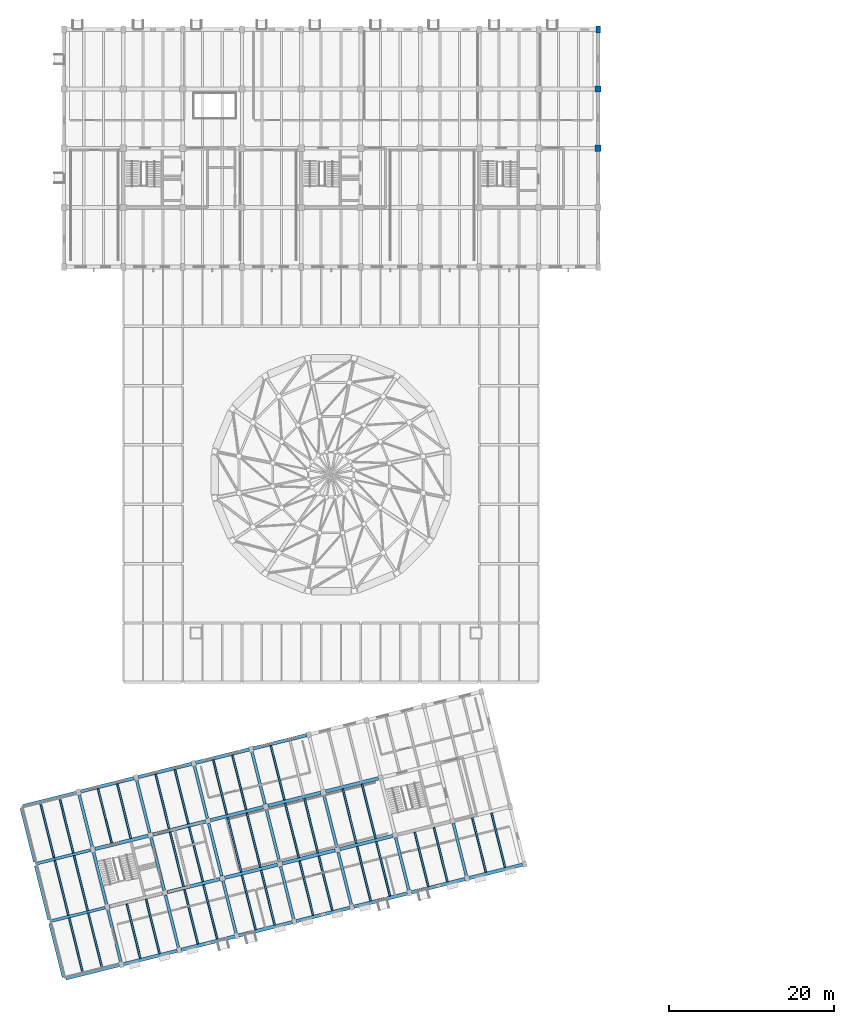
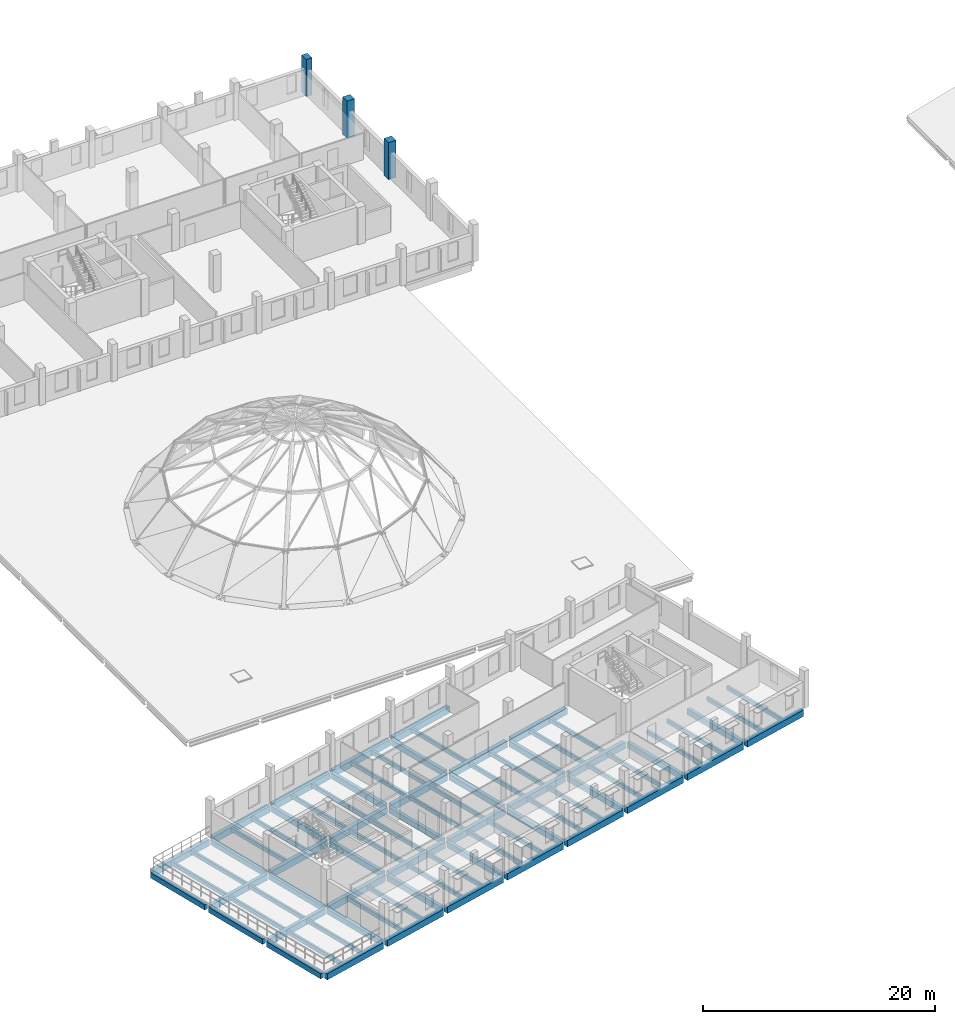
# One storey, part 5 of 32: 79 beams, 3 columns.
"""IFC4 building model written with IfcOpenShell, lengths in metres."""

from ifc_helpers import new_model, si_unit, direction, frame, origin, origin_2d, place, context, subcontext, project, spatial, rectangle, extrude, material, material_profile, profile_set, type_object, element, save


model = new_model("IFC4")

# Units and contexts
model_context = context("Model", 3, precision=1e-05, world=origin(), true_north=direction((0.0, 1.0)))
body_context = subcontext(model_context, "Body", "Model", "MODEL_VIEW")
ifc_project = project(units=[si_unit("LENGTHUNIT", "METRE"), si_unit("AREAUNIT", "SQUARE_METRE"), si_unit("VOLUMEUNIT", "CUBIC_METRE"), si_unit("PLANEANGLEUNIT", "RADIAN"), si_unit("MASSUNIT", "GRAM", prefix="KILO")], contexts=[model_context])

# Site, building, storey
site_placement = place(None, origin())
site = spatial("IfcSite", under=ifc_project, at=site_placement, CompositionType="ELEMENT")
building_placement = place(site_placement, origin())
building = spatial("IfcBuilding", under=site, at=building_placement, Name="Qiaolan Assembly House", CompositionType="ELEMENT")
storey_placement = place(building_placement, frame((0.0, 0.0, 18.60009765625)))
storey = spatial("IfcBuildingStorey", under=building, at=storey_placement, Name="L04", CompositionType="ELEMENT", Elevation=18.60009765625)

# Columns
ifc_material_1 = material(Name="Concrete C45/55", Category="concrete")
ifc_material_profile_1 = material_profile(ifc_material_1, rectangle(XDim=0.760009765625, YDim=0.760009765625, at=origin_2d()), Name="RC 760x760")
ifc_profile_set_1 = profile_set([ifc_material_profile_1], Name="Concrete C45/55")
column_type_1 = type_object("IfcColumnType", Name="COL-RC-760", PredefinedType="COLUMN", material=ifc_profile_set_1)
for number, where, z_axis, x_axis, name in (
    (1, (100.800048828125, 100.800048828125, 0.0), (0.0, 0.0, 1.0), (1.0, 0.0, 0.0), "RC-20 column NW L04"),
    (2, (100.800048828125, 108.0, 0.0), (0.0, 0.0, 1.0), (1.0, 0.0, 0.0), "RC-20 column NW L04"),
):
    element("IfcColumn", number, at=place(storey_placement, frame(where, z_axis=z_axis, x_axis=x_axis)), inside=storey, type_object=column_type_1, Name=name, PredefinedType="COLUMN", context=body_context, shape_type="SweptSolid", body=[
        extrude(rectangle(XDim=0.760009765625, YDim=0.760009765625, at=origin_2d()), origin(), (0.0, 0.0, 1.0), 3.89990234375),
    ])
ifc_material_2 = material(Name="Concrete C40/50", Category="concrete")
ifc_material_profile_2 = material_profile(ifc_material_2, rectangle(XDim=0.56005859375, YDim=0.804931640625, at=origin_2d()), Name="RC 805x560")
ifc_profile_set_2 = profile_set([ifc_material_profile_2], Name="Concrete C40/50")
column_type_2 = type_object("IfcColumnType", Name="COL-RC-805x560", PredefinedType="COLUMN", material=ifc_profile_set_2)
column_placement = place(storey_placement, frame((100.800048828125, 115.199951171875, 0.0), z_axis=(0.0, 0.0, 1.0), x_axis=(1.0, 0.0, 0.0)))
element("IfcColumn", 3, at=column_placement, inside=storey, type_object=column_type_2, Name="RC-23 column NW L04", PredefinedType="COLUMN", context=body_context, shape_type="SweptSolid", body=[
    extrude(rectangle(XDim=0.56005859375, YDim=0.804931640625, at=origin_2d()), origin(), (0.0, 0.0, 1.0), 3.89990234375),
])

# Beams
ifc_material_profile_3 = material_profile(ifc_material_2, rectangle(XDim=0.35009765625, YDim=0.550048828125, at=origin_2d()), Name="RCB 350x550")
ifc_profile_set_3 = profile_set([ifc_material_profile_3], Name="Concrete C40/50")
beam_type_1 = type_object("IfcBeamType", Name="BM-RC-350x550", PredefinedType="BEAM", material=ifc_profile_set_3)
beam_1_placement = place(storey_placement, frame((35.94189453125, 0.23291015625, -0.53515625), z_axis=(-0.241928634891, 0.970294045957, 0.0), x_axis=(-0.970294045957, -0.241928634891, 0.0)))
element("IfcBeam", 4, at=beam_1_placement, inside=storey, type_object=beam_type_1, Name="GB-09 beam BMV-SET4-L04-00-00", PredefinedType="BEAM", context=body_context, shape_type="SweptSolid", body=[
    extrude(rectangle(XDim=0.35009765625, YDim=0.550048828125, at=origin_2d()), origin(), (0.0, 0.0, 1.0), 6.719970703125),
])
for number, where, z_axis, x_axis, name in (
    (5, (34.2001953125, 7.218994140625, -0.53515625), (-0.241920106756, 0.970296172283, 0.0), (-0.970296172283, -0.241920106756, 0.0), "GB-09 beam BMV-SET4-L04-00-01"),
    (6, (32.458251953125, 14.205078125, -0.53515625), (-0.241920106756, 0.970296172283, 0.0), (-0.970296172283, -0.241920106756, 0.0), "GB-09 beam BMV-SET4-L04-00-02"),
):
    element("IfcBeam", number, at=place(storey_placement, frame(where, z_axis=z_axis, x_axis=x_axis)), inside=storey, type_object=beam_type_1, Name=name, PredefinedType="BEAM", context=body_context, shape_type="SweptSolid", body=[
        extrude(rectangle(XDim=0.35009765625, YDim=0.550048828125, at=origin_2d()), origin(), (0.0, 0.0, 1.0), 6.72021484375),
    ])
beam_2_placement = place(storey_placement, frame((42.927978515625, 1.974609375, -0.53515625), z_axis=(-0.241919183305, 0.970296402523, 0.0), x_axis=(-0.970296402523, -0.241919183305, 0.0)))
element("IfcBeam", 7, at=beam_2_placement, inside=storey, type_object=beam_type_1, Name="GB-09 beam BMV-SET4-L04-01-00", PredefinedType="BEAM", context=body_context, shape_type="SweptSolid", body=[
    extrude(rectangle(XDim=0.35009765625, YDim=0.550048828125, at=origin_2d()), origin(), (0.0, 0.0, 1.0), 6.7099609375),
])
beam_3_placement = place(storey_placement, frame((41.183837890625, 8.970458984375, -0.53515625), z_axis=(-0.241918257079, 0.970296633454, 0.0), x_axis=(-0.970296633454, -0.241918257079, 0.0)))
element("IfcBeam", 8, at=beam_3_placement, inside=storey, type_object=beam_type_1, Name="GB-09 beam BMV-SET4-L04-01-01", PredefinedType="BEAM", context=body_context, shape_type="SweptSolid", body=[
    extrude(rectangle(XDim=0.35009765625, YDim=0.550048828125, at=origin_2d()), origin(), (0.0, 0.0, 1.0), 6.699951171875),
])
beam_4_placement = place(storey_placement, frame((39.44189453125, 15.956787109375, -0.53515625), z_axis=(-0.241927724203, 0.970294273023, 0.0), x_axis=(-0.970294273023, -0.241927724203, 0.0)))
element("IfcBeam", 9, at=beam_4_placement, inside=storey, type_object=beam_type_1, Name="GB-09 beam BMV-SET4-L04-01-02", PredefinedType="BEAM", context=body_context, shape_type="SweptSolid", body=[
    extrude(rectangle(XDim=0.35009765625, YDim=0.550048828125, at=origin_2d()), origin(), (0.0, 0.0, 1.0), 6.709716796875),
])
ifc_material_profile_4 = material_profile(ifc_material_2, rectangle(XDim=0.35009765625, YDim=0.60009765625, at=origin_2d()), Name="RCB 350x600")
ifc_profile_set_4 = profile_set([ifc_material_profile_4], Name="Concrete C40/50")
beam_type_2 = type_object("IfcBeamType", Name="BM-RC-350x600", PredefinedType="BEAM", material=ifc_profile_set_4)
beam_5_placement = place(storey_placement, frame((49.914306640625, 3.716552734375, -0.51513671875), z_axis=(-0.241941330118, 0.9702908805, 0.0), x_axis=(-0.9702908805, -0.241941330118, 0.0)))
element("IfcBeam", 10, at=beam_5_placement, inside=storey, type_object=beam_type_2, Name="GB-08 beam BMV-SE-L04-01-00", PredefinedType="BEAM", context=body_context, shape_type="SweptSolid", body=[
    extrude(rectangle(XDim=0.35009765625, YDim=0.60009765625, at=origin_2d()), origin(), (0.0, 0.0, 1.0), 6.670166015625),
])
beam_6_placement = place(storey_placement, frame((48.16015625, 10.751220703125, -0.51513671875), z_axis=(-0.241893432628, 0.970302822448, 0.0), x_axis=(-0.970302822448, -0.241893432628, 0.0)))
element("IfcBeam", 11, at=beam_6_placement, inside=storey, type_object=beam_type_2, Name="GB-08 beam BMV-SE-L04-01-01", PredefinedType="BEAM", context=body_context, shape_type="SweptSolid", body=[
    extrude(rectangle(XDim=0.35009765625, YDim=0.60009765625, at=origin_2d()), origin(), (0.0, 0.0, 1.0), 6.619873046875),
])
beam_7_placement = place(storey_placement, frame((46.41845703125, 17.7373046875, -0.51513671875), z_axis=(-0.241941330118, 0.9702908805, 0.0), x_axis=(-0.9702908805, -0.241941330118, 0.0)))
element("IfcBeam", 12, at=beam_7_placement, inside=storey, type_object=beam_type_2, Name="GB-08 beam BMV-SE-L04-01-02", PredefinedType="BEAM", context=body_context, shape_type="SweptSolid", body=[
    extrude(rectangle(XDim=0.35009765625, YDim=0.60009765625, at=origin_2d()), origin(), (0.0, 0.0, 1.0), 6.670166015625),
])
beam_8_placement = place(storey_placement, frame((56.900390625, 5.45849609375, -0.51513671875), z_axis=(-0.241949922935, 0.970288737846, 0.0), x_axis=(-0.970288737846, -0.241949922935, 0.0)))
element("IfcBeam", 13, at=beam_8_placement, inside=storey, type_object=beam_type_2, Name="GB-08 beam BMV-SE-L04-02-00", PredefinedType="BEAM", context=body_context, shape_type="SweptSolid", body=[
    extrude(rectangle(XDim=0.35009765625, YDim=0.60009765625, at=origin_2d()), origin(), (0.0, 0.0, 1.0), 6.669921875),
])
beam_9_placement = place(storey_placement, frame((55.146484375, 12.492919921875, -0.51513671875), z_axis=(-0.241919497068, 0.970296324294, 0.0), x_axis=(-0.970296324294, -0.241919497068, 0.0)))
element("IfcBeam", 14, at=beam_9_placement, inside=storey, type_object=beam_type_2, Name="GB-08 beam BMV-SE-L04-02-01", PredefinedType="BEAM", context=body_context, shape_type="SweptSolid", body=[
    extrude(rectangle(XDim=0.35009765625, YDim=0.60009765625, at=origin_2d()), origin(), (0.0, 0.0, 1.0), 6.6201171875),
])
beam_10_placement = place(storey_placement, frame((53.404541015625, 19.479248046875, -0.51513671875), z_axis=(-0.241915461625, 0.970297330423, 0.0), x_axis=(-0.970297330423, -0.241915461625, 0.0)))
element("IfcBeam", 15, at=beam_10_placement, inside=storey, type_object=beam_type_2, Name="GB-08 beam BMV-SE-L04-02-02", PredefinedType="BEAM", context=body_context, shape_type="SweptSolid", body=[
    extrude(rectangle(XDim=0.35009765625, YDim=0.60009765625, at=origin_2d()), origin(), (0.0, 0.0, 1.0), 6.669677734375),
])
beam_11_placement = place(storey_placement, frame((63.886474609375, 7.2001953125, -0.51513671875), z_axis=(-0.24190686988, 0.970299472485, 0.0), x_axis=(-0.970299472485, -0.24190686988, 0.0)))
element("IfcBeam", 16, at=beam_11_placement, inside=storey, type_object=beam_type_2, Name="GB-08 beam BMV-SE-L04-03-00", PredefinedType="BEAM", context=body_context, shape_type="SweptSolid", body=[
    extrude(rectangle(XDim=0.35009765625, YDim=0.60009765625, at=origin_2d()), origin(), (0.0, 0.0, 1.0), 6.669921875),
])
beam_12_placement = place(storey_placement, frame((62.132568359375, 14.23486328125, -0.51513671875), z_axis=(-0.241928153868, 0.970294165893, 0.0), x_axis=(-0.970294165893, -0.241928153868, 0.0)))
element("IfcBeam", 17, at=beam_12_placement, inside=storey, type_object=beam_type_2, Name="GB-08 beam BMV-SE-L04-03-01", PredefinedType="BEAM", context=body_context, shape_type="SweptSolid", body=[
    extrude(rectangle(XDim=0.35009765625, YDim=0.60009765625, at=origin_2d()), origin(), (0.0, 0.0, 1.0), 6.619873046875),
])
beam_13_placement = place(storey_placement, frame((60.390625, 21.220947265625, -0.51513671875), z_axis=(-0.24190686988, 0.970299472485, 0.0), x_axis=(-0.970299472485, -0.24190686988, 0.0)))
element("IfcBeam", 18, at=beam_13_placement, inside=storey, type_object=beam_type_2, Name="GB-08 beam BMV-SE-L04-03-02", PredefinedType="BEAM", context=body_context, shape_type="SweptSolid", body=[
    extrude(rectangle(XDim=0.35009765625, YDim=0.60009765625, at=origin_2d()), origin(), (0.0, 0.0, 1.0), 6.669921875),
])
beam_14_placement = place(storey_placement, frame((70.87255859375, 8.942138671875, -0.51513671875), z_axis=(-0.241915461625, 0.970297330423, 0.0), x_axis=(-0.970297330423, -0.241915461625, 0.0)))
element("IfcBeam", 19, at=beam_14_placement, inside=storey, type_object=beam_type_2, Name="GB-08 beam BMV-SE-L04-04-00", PredefinedType="BEAM", context=body_context, shape_type="SweptSolid", body=[
    extrude(rectangle(XDim=0.35009765625, YDim=0.60009765625, at=origin_2d()), origin(), (0.0, 0.0, 1.0), 6.669677734375),
])
beam_15_placement = place(storey_placement, frame((69.11865234375, 15.976806640625, -0.51513671875), z_axis=(-0.241928153868, 0.970294165893, 0.0), x_axis=(-0.970294165893, -0.241928153868, 0.0)))
element("IfcBeam", 20, at=beam_15_placement, inside=storey, type_object=beam_type_2, Name="GB-08 beam BMV-SE-L04-04-01", PredefinedType="BEAM", context=body_context, shape_type="SweptSolid", body=[
    extrude(rectangle(XDim=0.35009765625, YDim=0.60009765625, at=origin_2d()), origin(), (0.0, 0.0, 1.0), 6.619873046875),
])
for number, where, z_axis, x_axis, name in (
    (21, (77.858642578125, 10.683837890625, -0.51513671875), (-0.24190686988, 0.970299472485, 0.0), (-0.970299472485, -0.24190686988, 0.0), "GB-08 beam BMV-SE-L04-05-00"),
    (22, (84.8447265625, 12.42578125, -0.51513671875), (-0.24190686988, 0.970299472485, 0.0), (-0.970299472485, -0.24190686988, 0.0), "GB-08 beam BMV-SE-L04-06-00"),
):
    element("IfcBeam", number, at=place(storey_placement, frame(where, z_axis=z_axis, x_axis=x_axis)), inside=storey, type_object=beam_type_2, Name=name, PredefinedType="BEAM", context=body_context, shape_type="SweptSolid", body=[
        extrude(rectangle(XDim=0.35009765625, YDim=0.60009765625, at=origin_2d()), origin(), (0.0, 0.0, 1.0), 6.669921875),
    ])
ifc_material_profile_5 = material_profile(ifc_material_2, rectangle(XDim=0.35009765625, YDim=0.64990234375, at=origin_2d()), Name="RCB 350x650")
ifc_profile_set_5 = profile_set([ifc_material_profile_5], Name="Concrete C40/50")
beam_type_3 = type_object("IfcBeamType", Name="BM-RC-350x650", PredefinedType="BEAM", material=ifc_profile_set_5)
beam_16_placement = place(storey_placement, frame((36.23291015625, 0.05810546875, -0.585205078125), z_axis=(0.970294045957, 0.241928634891, 0.0), x_axis=(-0.241928634891, 0.970294045957, 0.0)))
element("IfcBeam", 23, at=beam_16_placement, inside=storey, type_object=beam_type_3, Name="GB-07 beam BMU-SET4-L04-00-00", PredefinedType="BEAM", context=body_context, shape_type="SweptSolid", body=[
    extrude(rectangle(XDim=0.35009765625, YDim=0.64990234375, at=origin_2d()), origin(), (0.0, 0.0, 1.0), 6.719970703125),
])
beam_17_placement = place(storey_placement, frame((34.490966796875, 7.044189453125, -0.585205078125), z_axis=(0.970296402523, 0.241919183305, 0.0), x_axis=(-0.241919183305, 0.970296402523, 0.0)))
element("IfcBeam", 24, at=beam_17_placement, inside=storey, type_object=beam_type_3, Name="GB-07 beam BMU-SET4-L04-00-01", PredefinedType="BEAM", context=body_context, shape_type="SweptSolid", body=[
    extrude(rectangle(XDim=0.35009765625, YDim=0.64990234375, at=origin_2d()), origin(), (0.0, 0.0, 1.0), 6.7099609375),
])
beam_18_placement = place(storey_placement, frame((32.749267578125, 14.0302734375, -0.585205078125), z_axis=(0.970294273023, 0.241927724203, 0.0), x_axis=(-0.241927724203, 0.970294273023, 0.0)))
element("IfcBeam", 25, at=beam_18_placement, inside=storey, type_object=beam_type_3, Name="GB-07 beam BMU-SET4-L04-00-02", PredefinedType="BEAM", context=body_context, shape_type="SweptSolid", body=[
    extrude(rectangle(XDim=0.35009765625, YDim=0.64990234375, at=origin_2d()), origin(), (0.0, 0.0, 1.0), 6.709716796875),
])
beam_19_placement = place(storey_placement, frame((31.00732421875, 21.016357421875, -0.585205078125), z_axis=(0.970296172283, 0.241920106756, 0.0), x_axis=(-0.241920106756, 0.970296172283, 0.0)))
element("IfcBeam", 26, at=beam_19_placement, inside=storey, type_object=beam_type_3, Name="GB-07 beam BMU-SET4-L04-00-03", PredefinedType="BEAM", context=body_context, shape_type="SweptSolid", body=[
    extrude(rectangle(XDim=0.35009765625, YDim=0.64990234375, at=origin_2d()), origin(), (0.0, 0.0, 1.0), 6.72021484375),
])
ifc_material_profile_6 = material_profile(ifc_material_2, rectangle(XDim=0.419921875, YDim=0.679931640625, at=origin_2d()), Name="RCB 420x680")
ifc_profile_set_6 = profile_set([ifc_material_profile_6], Name="Concrete C40/50")
beam_type_4 = type_object("IfcBeamType", Name="BM-RC-420x680", PredefinedType="BEAM", material=ifc_profile_set_6)
for number, where, z_axis, x_axis, name in (
    (27, (43.218994140625, 1.7998046875, -0.55517578125), (0.970296172283, 0.241920106756, 0.0), (-0.241920106756, 0.970296172283, 0.0), "GB-12 beam BMU-SE-L04-00-00"),
    (28, (50.205078125, 3.541748046875, -0.55517578125), (0.970296172283, 0.241920106756, 0.0), (-0.241920106756, 0.970296172283, 0.0), "GB-12 beam BMU-SE-L04-01-00"),
):
    element("IfcBeam", number, at=place(storey_placement, frame(where, z_axis=z_axis, x_axis=x_axis)), inside=storey, type_object=beam_type_4, Name=name, PredefinedType="BEAM", context=body_context, shape_type="SweptSolid", body=[
        extrude(rectangle(XDim=0.419921875, YDim=0.679931640625, at=origin_2d()), origin(), (0.0, 0.0, 1.0), 6.72021484375),
    ])
for number, where, z_axis, x_axis, name in (
    (29, (57.191162109375, 5.28369140625, -0.55517578125), (0.970304699599, 0.241885902723, 0.0), (-0.241885902723, 0.970304699599, 0.0), "GB-12 beam BMU-SE-L04-02-00"),
    (30, (64.177490234375, 7.025390625, -0.55517578125), (0.970294045957, 0.241928634891, 0.0), (-0.241928634891, 0.970294045957, 0.0), "GB-12 beam BMU-SE-L04-03-00"),
    (31, (71.16357421875, 8.767333984375, -0.55517578125), (0.970294045957, 0.241928634891, 0.0), (-0.241928634891, 0.970294045957, 0.0), "GB-12 beam BMU-SE-L04-04-00"),
    (32, (78.149658203125, 10.509033203125, -0.55517578125), (0.970294045957, 0.241928634891, 0.0), (-0.241928634891, 0.970294045957, 0.0), "GB-12 beam BMU-SE-L04-05-00"),
):
    element("IfcBeam", number, at=place(storey_placement, frame(where, z_axis=z_axis, x_axis=x_axis)), inside=storey, type_object=beam_type_4, Name=name, PredefinedType="BEAM", context=body_context, shape_type="SweptSolid", body=[
        extrude(rectangle(XDim=0.419921875, YDim=0.679931640625, at=origin_2d()), origin(), (0.0, 0.0, 1.0), 6.719970703125),
    ])
beam_20_placement = place(storey_placement, frame((85.1357421875, 12.2509765625, -0.55517578125), z_axis=(0.970296172283, 0.241920106756, 0.0), x_axis=(-0.241920106756, 0.970296172283, 0.0)))
element("IfcBeam", 33, at=beam_20_placement, inside=storey, type_object=beam_type_4, Name="GB-12 beam BMU-SE-L04-06-00", PredefinedType="BEAM", context=body_context, shape_type="SweptSolid", body=[
    extrude(rectangle(XDim=0.419921875, YDim=0.679931640625, at=origin_2d()), origin(), (0.0, 0.0, 1.0), 6.72021484375),
])
beam_21_placement = place(storey_placement, frame((41.48681640625, 8.788330078125, -0.55517578125), z_axis=(0.970291104491, 0.241940431812, 0.0), x_axis=(-0.241940431812, 0.970291104491, 0.0)))
element("IfcBeam", 34, at=beam_21_placement, inside=storey, type_object=beam_type_4, Name="GB-12 beam BMU-SE-L04-00-01", PredefinedType="BEAM", context=body_context, shape_type="SweptSolid", body=[
    extrude(rectangle(XDim=0.419921875, YDim=0.679931640625, at=origin_2d()), origin(), (0.0, 0.0, 1.0), 6.659912109375),
])
for number, where, z_axis, x_axis, name in (
    (35, (48.51171875, 10.5400390625, -0.55517578125), (0.970294165893, 0.241928153868, 0.0), (-0.241928153868, 0.970294165893, 0.0), "GB-12 beam BMU-SE-L04-01-01"),
    (36, (55.498046875, 12.28173828125, -0.55517578125), (0.970294165893, 0.241928153868, 0.0), (-0.241928153868, 0.970294165893, 0.0), "GB-12 beam BMU-SE-L04-02-01"),
    (37, (62.484130859375, 14.023681640625, -0.55517578125), (0.970294165893, 0.241928153868, 0.0), (-0.241928153868, 0.970294165893, 0.0), "GB-12 beam BMU-SE-L04-03-01"),
    (38, (69.47021484375, 15.765380859375, -0.55517578125), (0.970294165893, 0.241928153868, 0.0), (-0.241928153868, 0.970294165893, 0.0), "GB-12 beam BMU-SE-L04-04-01"),
):
    element("IfcBeam", number, at=place(storey_placement, frame(where, z_axis=z_axis, x_axis=x_axis)), inside=storey, type_object=beam_type_4, Name=name, PredefinedType="BEAM", context=body_context, shape_type="SweptSolid", body=[
        extrude(rectangle(XDim=0.419921875, YDim=0.679931640625, at=origin_2d()), origin(), (0.0, 0.0, 1.0), 6.619873046875),
    ])
beam_22_placement = place(storey_placement, frame((39.7451171875, 15.774658203125, -0.55517578125), z_axis=(0.970299709432, 0.241905919473, 0.0), x_axis=(-0.241905919473, 0.970299709432, 0.0)))
element("IfcBeam", 39, at=beam_22_placement, inside=storey, type_object=beam_type_4, Name="GB-12 beam BMU-SE-L04-00-02", PredefinedType="BEAM", context=body_context, shape_type="SweptSolid", body=[
    extrude(rectangle(XDim=0.419921875, YDim=0.679931640625, at=origin_2d()), origin(), (0.0, 0.0, 1.0), 6.659912109375),
])
for number, where, z_axis, x_axis, name in (
    (40, (46.77001953125, 17.526123046875, -0.55517578125), (0.970294165893, 0.241928153868, 0.0), (-0.241928153868, 0.970294165893, 0.0), "GB-12 beam BMU-SE-L04-01-02"),
    (41, (53.756103515625, 19.267822265625, -0.55517578125), (0.970294165893, 0.241928153868, 0.0), (-0.241928153868, 0.970294165893, 0.0), "GB-12 beam BMU-SE-L04-02-02"),
    (42, (60.7421875, 21.009765625, -0.55517578125), (0.970294165893, 0.241928153868, 0.0), (-0.241928153868, 0.970294165893, 0.0), "GB-12 beam BMU-SE-L04-03-02"),
    (43, (67.728271484375, 22.751708984375, -0.55517578125), (0.970302822448, 0.241893432628, 0.0), (-0.241893432628, 0.970302822448, 0.0), "GB-12 beam BMU-SE-L04-04-02"),
):
    element("IfcBeam", number, at=place(storey_placement, frame(where, z_axis=z_axis, x_axis=x_axis)), inside=storey, type_object=beam_type_4, Name=name, PredefinedType="BEAM", context=body_context, shape_type="SweptSolid", body=[
        extrude(rectangle(XDim=0.419921875, YDim=0.679931640625, at=origin_2d()), origin(), (0.0, 0.0, 1.0), 6.619873046875),
    ])
beam_23_placement = place(storey_placement, frame((37.993408203125, 22.75830078125, -0.55517578125), z_axis=(0.970296172283, 0.241920106756, 0.0), x_axis=(-0.241920106756, 0.970296172283, 0.0)))
element("IfcBeam", 44, at=beam_23_placement, inside=storey, type_object=beam_type_4, Name="GB-12 beam BMU-SE-L04-00-03", PredefinedType="BEAM", context=body_context, shape_type="SweptSolid", body=[
    extrude(rectangle(XDim=0.419921875, YDim=0.679931640625, at=origin_2d()), origin(), (0.0, 0.0, 1.0), 6.72021484375),
])
beam_24_placement = place(storey_placement, frame((44.979736328125, 24.500244140625, -0.55517578125), z_axis=(0.970302573856, 0.241894429802, 0.0), x_axis=(-0.241894429802, 0.970302573856, 0.0)))
element("IfcBeam", 45, at=beam_24_placement, inside=storey, type_object=beam_type_4, Name="GB-12 beam BMU-SE-L04-01-03", PredefinedType="BEAM", context=body_context, shape_type="SweptSolid", body=[
    extrude(rectangle(XDim=0.419921875, YDim=0.679931640625, at=origin_2d()), origin(), (0.0, 0.0, 1.0), 6.7197265625),
])
for number, where, z_axis, x_axis, name in (
    (46, (51.9658203125, 26.241943359375, -0.55517578125), (0.970294045957, 0.241928634891, 0.0), (-0.241928634891, 0.970294045957, 0.0), "GB-12 beam BMU-SE-L04-02-03"),
    (47, (58.951904296875, 27.98388671875, -0.55517578125), (0.970294045957, 0.241928634891, 0.0), (-0.241928634891, 0.970294045957, 0.0), "GB-12 beam BMU-SE-L04-03-03"),
):
    element("IfcBeam", number, at=place(storey_placement, frame(where, z_axis=z_axis, x_axis=x_axis)), inside=storey, type_object=beam_type_4, Name=name, PredefinedType="BEAM", context=body_context, shape_type="SweptSolid", body=[
        extrude(rectangle(XDim=0.419921875, YDim=0.679931640625, at=origin_2d()), origin(), (0.0, 0.0, 1.0), 6.719970703125),
    ])
ifc_material_profile_7 = material_profile(ifc_material_2, rectangle(XDim=0.219970703125, YDim=0.419921875, at=origin_2d()), Name="RCB 220x420")
ifc_profile_set_7 = profile_set([ifc_material_profile_7], Name="Concrete C40/50")
beam_type_5 = type_object("IfcBeamType", Name="JST-RC-220x420", PredefinedType="JOIST", material=ifc_profile_set_7)
for number, where, z_axis, x_axis, name in (
    (48, (38.287841796875, 0.74462890625, -0.47021484375), (-0.241932838974, 0.970292997721, 0.0), (-0.970292997721, -0.241932838974, 0.0), "RJ-03 beam JST-SET4-L04-00-00-1"),
    (49, (40.616455078125, 1.3251953125, -0.47021484375), (-0.241899342638, 0.970301349083, 0.0), (-0.970301349083, -0.241899342638, 0.0), "RJ-03 beam JST-SET4-L04-00-00-2"),
    (50, (36.5458984375, 7.730712890625, -0.47021484375), (-0.241899342638, 0.970301349083, 0.0), (-0.970301349083, -0.241899342638, 0.0), "RJ-03 beam JST-SET4-L04-00-01-1"),
    (51, (38.874755859375, 8.311279296875, -0.47021484375), (-0.241932838974, 0.970292997721, 0.0), (-0.970292997721, -0.241932838974, 0.0), "RJ-03 beam JST-SET4-L04-00-01-2"),
    (52, (34.80419921875, 14.716796875, -0.47021484375), (-0.241932838974, 0.970292997721, 0.0), (-0.970292997721, -0.241932838974, 0.0), "RJ-03 beam JST-SET4-L04-00-02-1"),
    (53, (37.1328125, 15.29736328125, -0.47021484375), (-0.241899342638, 0.970301349083, 0.0), (-0.970301349083, -0.241899342638, 0.0), "RJ-03 beam JST-SET4-L04-00-02-2"),
):
    element("IfcBeam", number, at=place(storey_placement, frame(where, z_axis=z_axis, x_axis=x_axis)), inside=storey, type_object=beam_type_5, Name=name, PredefinedType="JOIST", context=body_context, shape_type="SweptSolid", body=[
        extrude(rectangle(XDim=0.219970703125, YDim=0.419921875, at=origin_2d()), origin(), (0.0, 0.0, 1.0), 6.862060546875),
    ])
for number, where, z_axis, x_axis, name in (
    (54, (45.265380859375, 2.5205078125, -0.425048828125), (-0.241918146508, 0.970296661022, 0.0), (-0.970296661022, -0.241918146508, 0.0), "RJ-03 beam JST-SE-L04-00-00-1"),
    (55, (47.59423828125, 3.10107421875, -0.425048828125), (-0.241918146508, 0.970296661022, 0.0), (-0.970296661022, -0.241918146508, 0.0), "RJ-03 beam JST-SE-L04-00-00-2"),
):
    element("IfcBeam", number, at=place(storey_placement, frame(where, z_axis=z_axis, x_axis=x_axis)), inside=storey, type_object=beam_type_5, Name=name, PredefinedType="JOIST", context=body_context, shape_type="SweptSolid", body=[
        extrude(rectangle(XDim=0.219970703125, YDim=0.419921875, at=origin_2d()), origin(), (0.0, 0.0, 1.0), 6.791748046875),
    ])
beam_25_placement = place(storey_placement, frame((41.78173828125, 16.49267578125, -0.425048828125), z_axis=(-0.241909709048, 0.970298764643, 0.0), x_axis=(-0.970298764643, -0.241909709048, 0.0)))
element("IfcBeam", 56, at=beam_25_placement, inside=storey, type_object=beam_type_5, Name="RJ-03 beam JST-SE-L04-00-02-1", PredefinedType="JOIST", context=body_context, shape_type="SweptSolid", body=[
    extrude(rectangle(XDim=0.219970703125, YDim=0.419921875, at=origin_2d()), origin(), (0.0, 0.0, 1.0), 6.7919921875),
])
for number, where, z_axis, x_axis, name in (
    (57, (44.110595703125, 17.0732421875, -0.425048828125), (-0.241943550075, 0.970290326952, 0.0), (-0.970290326952, -0.241943550075, 0.0), "RJ-03 beam JST-SE-L04-00-02-2"),
    (58, (52.251708984375, 4.26220703125, -0.425048828125), (-0.241943550075, 0.970290326952, 0.0), (-0.970290326952, -0.241943550075, 0.0), "RJ-03 beam JST-SE-L04-01-00-1"),
):
    element("IfcBeam", number, at=place(storey_placement, frame(where, z_axis=z_axis, x_axis=x_axis)), inside=storey, type_object=beam_type_5, Name=name, PredefinedType="JOIST", context=body_context, shape_type="SweptSolid", body=[
        extrude(rectangle(XDim=0.219970703125, YDim=0.419921875, at=origin_2d()), origin(), (0.0, 0.0, 1.0), 6.792236328125),
    ])
for number, where, z_axis, x_axis, name in (
    (59, (54.580322265625, 4.8427734375, -0.425048828125), (-0.241909709048, 0.970298764643, 0.0), (-0.970298764643, -0.241909709048, 0.0), "RJ-03 beam JST-SE-L04-01-00-2"),
    (60, (50.509765625, 11.248291015625, -0.425048828125), (-0.241909709048, 0.970298764643, 0.0), (-0.970298764643, -0.241909709048, 0.0), "RJ-03 beam JST-SE-L04-01-01-1"),
    (61, (52.83837890625, 11.828857421875, -0.425048828125), (-0.241909709048, 0.970298764643, 0.0), (-0.970298764643, -0.241909709048, 0.0), "RJ-03 beam JST-SE-L04-01-01-2"),
    (62, (48.767822265625, 18.234375, -0.425048828125), (-0.241909709048, 0.970298764643, 0.0), (-0.970298764643, -0.241909709048, 0.0), "RJ-03 beam JST-SE-L04-01-02-1"),
):
    element("IfcBeam", number, at=place(storey_placement, frame(where, z_axis=z_axis, x_axis=x_axis)), inside=storey, type_object=beam_type_5, Name=name, PredefinedType="JOIST", context=body_context, shape_type="SweptSolid", body=[
        extrude(rectangle(XDim=0.219970703125, YDim=0.419921875, at=origin_2d()), origin(), (0.0, 0.0, 1.0), 6.7919921875),
    ])
for number, where, z_axis, x_axis, name in (
    (63, (51.0966796875, 18.815185546875, -0.425048828125), (-0.241918146508, 0.970296661022, 0.0), (-0.970296661022, -0.241918146508, 0.0), "RJ-03 beam JST-SE-L04-01-02-2"),
    (64, (59.23779296875, 6.004150390625, -0.425048828125), (-0.241918146508, 0.970296661022, 0.0), (-0.970296661022, -0.241918146508, 0.0), "RJ-03 beam JST-SE-L04-02-00-1"),
):
    element("IfcBeam", number, at=place(storey_placement, frame(where, z_axis=z_axis, x_axis=x_axis)), inside=storey, type_object=beam_type_5, Name=name, PredefinedType="JOIST", context=body_context, shape_type="SweptSolid", body=[
        extrude(rectangle(XDim=0.219970703125, YDim=0.419921875, at=origin_2d()), origin(), (0.0, 0.0, 1.0), 6.791748046875),
    ])
beam_26_placement = place(storey_placement, frame((61.56640625, 6.584716796875, -0.425048828125), z_axis=(-0.241909709048, 0.970298764643, 0.0), x_axis=(-0.970298764643, -0.241909709048, 0.0)))
element("IfcBeam", 65, at=beam_26_placement, inside=storey, type_object=beam_type_5, Name="RJ-03 beam JST-SE-L04-02-00-2", PredefinedType="JOIST", context=body_context, shape_type="SweptSolid", body=[
    extrude(rectangle(XDim=0.219970703125, YDim=0.419921875, at=origin_2d()), origin(), (0.0, 0.0, 1.0), 6.7919921875),
])
beam_27_placement = place(storey_placement, frame((57.495849609375, 12.990234375, -0.425048828125), z_axis=(-0.241918146508, 0.970296661022, 0.0), x_axis=(-0.970296661022, -0.241918146508, 0.0)))
element("IfcBeam", 66, at=beam_27_placement, inside=storey, type_object=beam_type_5, Name="RJ-03 beam JST-SE-L04-02-01-1", PredefinedType="JOIST", context=body_context, shape_type="SweptSolid", body=[
    extrude(rectangle(XDim=0.219970703125, YDim=0.419921875, at=origin_2d()), origin(), (0.0, 0.0, 1.0), 6.791748046875),
])
for number, where, z_axis, x_axis, name in (
    (67, (59.82470703125, 13.57080078125, -0.425048828125), (-0.241943550075, 0.970290326952, 0.0), (-0.970290326952, -0.241943550075, 0.0), "RJ-03 beam JST-SE-L04-02-01-2"),
    (68, (55.754150390625, 19.976318359375, -0.425048828125), (-0.241943550075, 0.970290326952, 0.0), (-0.970290326952, -0.241943550075, 0.0), "RJ-03 beam JST-SE-L04-02-02-1"),
):
    element("IfcBeam", number, at=place(storey_placement, frame(where, z_axis=z_axis, x_axis=x_axis)), inside=storey, type_object=beam_type_5, Name=name, PredefinedType="JOIST", context=body_context, shape_type="SweptSolid", body=[
        extrude(rectangle(XDim=0.219970703125, YDim=0.419921875, at=origin_2d()), origin(), (0.0, 0.0, 1.0), 6.792236328125),
    ])
for number, where, z_axis, x_axis, name in (
    (69, (58.082763671875, 20.556884765625, -0.425048828125), (-0.241909709048, 0.970298764643, 0.0), (-0.970298764643, -0.241909709048, 0.0), "RJ-03 beam JST-SE-L04-02-02-2"),
    (70, (66.223876953125, 7.745849609375, -0.425048828125), (-0.241909709048, 0.970298764643, 0.0), (-0.970298764643, -0.241909709048, 0.0), "RJ-03 beam JST-SE-L04-03-00-1"),
    (71, (68.552490234375, 8.326416015625, -0.425048828125), (-0.241909709048, 0.970298764643, 0.0), (-0.970298764643, -0.241909709048, 0.0), "RJ-03 beam JST-SE-L04-03-00-2"),
    (72, (64.48193359375, 14.73193359375, -0.425048828125), (-0.241909709048, 0.970298764643, 0.0), (-0.970298764643, -0.241909709048, 0.0), "RJ-03 beam JST-SE-L04-03-01-1"),
):
    element("IfcBeam", number, at=place(storey_placement, frame(where, z_axis=z_axis, x_axis=x_axis)), inside=storey, type_object=beam_type_5, Name=name, PredefinedType="JOIST", context=body_context, shape_type="SweptSolid", body=[
        extrude(rectangle(XDim=0.219970703125, YDim=0.419921875, at=origin_2d()), origin(), (0.0, 0.0, 1.0), 6.7919921875),
    ])
for number, where, z_axis, x_axis, name in (
    (73, (66.810791015625, 15.312744140625, -0.425048828125), (-0.241918146508, 0.970296661022, 0.0), (-0.970296661022, -0.241918146508, 0.0), "RJ-03 beam JST-SE-L04-03-01-2"),
    (74, (62.740234375, 21.71826171875, -0.425048828125), (-0.241918146508, 0.970296661022, 0.0), (-0.970296661022, -0.241918146508, 0.0), "RJ-03 beam JST-SE-L04-03-02-1"),
    (75, (73.2099609375, 9.48779296875, -0.425048828125), (-0.241918146508, 0.970296661022, 0.0), (-0.970296661022, -0.241918146508, 0.0), "RJ-03 beam JST-SE-L04-04-00-1"),
):
    element("IfcBeam", number, at=place(storey_placement, frame(where, z_axis=z_axis, x_axis=x_axis)), inside=storey, type_object=beam_type_5, Name=name, PredefinedType="JOIST", context=body_context, shape_type="SweptSolid", body=[
        extrude(rectangle(XDim=0.219970703125, YDim=0.419921875, at=origin_2d()), origin(), (0.0, 0.0, 1.0), 6.791748046875),
    ])
for number, where, z_axis, x_axis, name in (
    (76, (75.538818359375, 10.068359375, -0.425048828125), (-0.241943550075, 0.970290326952, 0.0), (-0.970290326952, -0.241943550075, 0.0), "RJ-03 beam JST-SE-L04-04-00-2"),
    (77, (71.46826171875, 16.473876953125, -0.425048828125), (-0.241943550075, 0.970290326952, 0.0), (-0.970290326952, -0.241943550075, 0.0), "RJ-03 beam JST-SE-L04-04-01-1"),
):
    element("IfcBeam", number, at=place(storey_placement, frame(where, z_axis=z_axis, x_axis=x_axis)), inside=storey, type_object=beam_type_5, Name=name, PredefinedType="JOIST", context=body_context, shape_type="SweptSolid", body=[
        extrude(rectangle(XDim=0.219970703125, YDim=0.419921875, at=origin_2d()), origin(), (0.0, 0.0, 1.0), 6.792236328125),
    ])
for number, where, z_axis, x_axis, name in (
    (78, (73.796875, 17.054443359375, -0.425048828125), (-0.241909709048, 0.970298764643, 0.0), (-0.970298764643, -0.241909709048, 0.0), "RJ-03 beam JST-SE-L04-04-01-2"),
    (79, (80.196044921875, 11.2294921875, -0.425048828125), (-0.241909709048, 0.970298764643, 0.0), (-0.970298764643, -0.241909709048, 0.0), "RJ-03 beam JST-SE-L04-05-00-1"),
    (80, (82.52490234375, 11.810302734375, -0.425048828125), (-0.241951988568, 0.970288222761, 0.0), (-0.970288222761, -0.241951988568, 0.0), "RJ-03 beam JST-SE-L04-05-00-2"),
):
    element("IfcBeam", number, at=place(storey_placement, frame(where, z_axis=z_axis, x_axis=x_axis)), inside=storey, type_object=beam_type_5, Name=name, PredefinedType="JOIST", context=body_context, shape_type="SweptSolid", body=[
        extrude(rectangle(XDim=0.219970703125, YDim=0.419921875, at=origin_2d()), origin(), (0.0, 0.0, 1.0), 6.7919921875),
    ])
beam_28_placement = place(storey_placement, frame((87.182373046875, 12.971435546875, -0.425048828125), z_axis=(-0.241943550075, 0.970290326952, 0.0), x_axis=(-0.970290326952, -0.241943550075, 0.0)))
element("IfcBeam", 81, at=beam_28_placement, inside=storey, type_object=beam_type_5, Name="RJ-03 beam JST-SE-L04-06-00-1", PredefinedType="JOIST", context=body_context, shape_type="SweptSolid", body=[
    extrude(rectangle(XDim=0.219970703125, YDim=0.419921875, at=origin_2d()), origin(), (0.0, 0.0, 1.0), 6.792236328125),
])
beam_29_placement = place(storey_placement, frame((89.510986328125, 13.552001953125, -0.425048828125), z_axis=(-0.241909709048, 0.970298764643, 0.0), x_axis=(-0.970298764643, -0.241909709048, 0.0)))
element("IfcBeam", 82, at=beam_29_placement, inside=storey, type_object=beam_type_5, Name="RJ-03 beam JST-SE-L04-06-00-2", PredefinedType="JOIST", context=body_context, shape_type="SweptSolid", body=[
    extrude(rectangle(XDim=0.219970703125, YDim=0.419921875, at=origin_2d()), origin(), (0.0, 0.0, 1.0), 6.7919921875),
])

save(model, "model.ifc")
